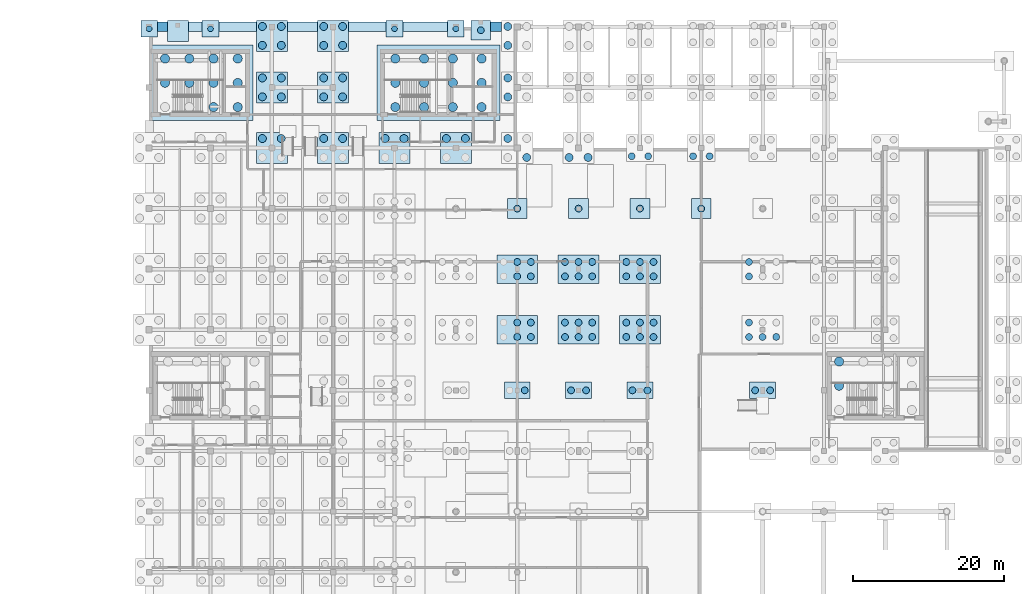
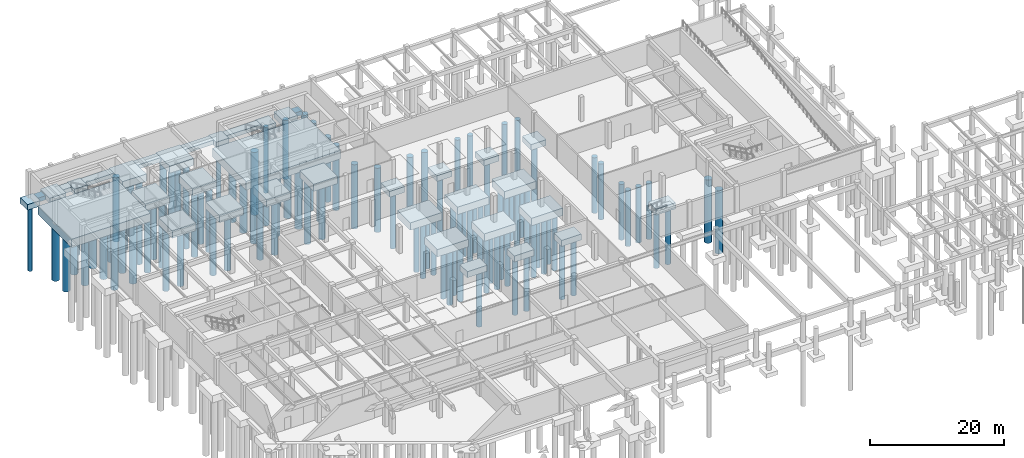
# One storey, part 4 of 25: 114 piles, 37 footings.
"""IFC4 building model written with IfcOpenShell, lengths in metres."""

from ifc_helpers import new_model, si_unit, direction, frame, origin, origin_2d, place, context, subcontext, project, spatial, polyline, rectangle, circle, outline, extrude, material, material_profile, profile_set, type_object, element, save


model = new_model("IFC4")

# Units and contexts
model_context = context("Model", 3, precision=1e-05, world=origin(), true_north=direction((0.0, 1.0)))
body_context = subcontext(model_context, "Body", "Model", "MODEL_VIEW")
ifc_project = project(units=[si_unit("LENGTHUNIT", "METRE"), si_unit("AREAUNIT", "SQUARE_METRE"), si_unit("VOLUMEUNIT", "CUBIC_METRE"), si_unit("PLANEANGLEUNIT", "RADIAN"), si_unit("MASSUNIT", "GRAM", prefix="KILO")], contexts=[model_context])

# Site, building, storey
site_placement = place(None, origin())
site = spatial("IfcSite", under=ifc_project, at=site_placement, CompositionType="ELEMENT")
building_placement = place(site_placement, origin())
building = spatial("IfcBuilding", under=site, at=building_placement, Name="Tarnveldt Square Police Headquarters", CompositionType="ELEMENT")
storey_placement = place(building_placement, frame((0.0, 0.0, -4.800048828125)))
storey = spatial("IfcBuildingStorey", under=building, at=storey_placement, Name="B1", CompositionType="ELEMENT", Elevation=-4.800048828125)

# Footings
ifc_material_1 = material(Name="Concrete 45 MPa", Category="concrete")
footing_type_1 = type_object("IfcFootingType", Name="CAP-PC1", PredefinedType="PILE_CAP", material=ifc_material_1)
for number, where, z_axis, x_axis, name in (
    (1, (16.199951171875, 111.75, -1.320068359375), (0.0, 0.0, 1.0), (1.0, 0.0, 0.0), "Caisson Pile Cap 17"),
    (2, (24.300048828125, 111.75, -1.320068359375), (0.0, 0.0, 1.0), (1.0, 0.0, 0.0), "Caisson Pile Cap 25"),
    (3, (48.60009765625, 111.75, -1.320068359375), (0.0, 0.0, 1.0), (1.0, 0.0, 0.0), "Caisson Pile Cap 58"),
    (4, (56.699951171875, 111.75, -1.320068359375), (0.0, 0.0, 1.0), (1.0, 0.0, 0.0), "Caisson Pile Cap 70"),
):
    element("IfcFooting", number, at=place(storey_placement, frame(where, z_axis=z_axis, x_axis=x_axis)), inside=storey, type_object=footing_type_1, Name=name, PredefinedType="PILE_CAP", context=body_context, shape_type="SweptSolid", body=[
        extrude(rectangle(XDim=2.199951171875, YDim=2.199951171875, at=origin_2d()), origin(), (0.0, 0.0, 1.0), 1.0),
    ])
footing_type_2 = type_object("IfcFootingType", Name="CAP-PC11", PredefinedType="PILE_CAP", material=ifc_material_1)
footing_1_placement = place(storey_placement, frame((54.39990234375, 104.60009765625, -1.8701171875), z_axis=(0.0, 0.0, 1.0), x_axis=(1.0, 0.0, 0.0)))
element("IfcFooting", 5, at=footing_1_placement, inside=storey, type_object=footing_type_2, Name="Core K3 North-Central Forensic and Firefighting Core Mat Pile Cap", PredefinedType="PILE_CAP", context=body_context, shape_type="SweptSolid", body=[
    extrude(rectangle(XDim=16.199951171875, YDim=10.0, at=origin_2d()), origin(), (0.0, 0.0, 1.0), 1.550048828125),
])
footing_type_3 = type_object("IfcFootingType", Name="CAP-PC2", PredefinedType="PILE_CAP", material=ifc_material_1)
for number, where, z_axis, x_axis, name in (
    (6, (64.800048828125, 64.0, -1.419921875), (0.0, 0.0, 1.0), (1.0, 0.0, 0.0), "Caisson Pile Cap 75"),
    (7, (72.89990234375, 64.0, -1.419921875), (0.0, 0.0, 1.0), (1.0, 0.0, 0.0), "Caisson Pile Cap 85"),
    (8, (81.0, 64.0, -1.419921875), (0.0, 0.0, 1.0), (1.0, 0.0, 0.0), "Caisson Pile Cap 95"),
    (9, (97.199951171875, 64.0, -1.419921875), (0.0, 0.0, 1.0), (1.0, 0.0, 0.0), "Caisson Pile Cap 109"),
):
    element("IfcFooting", number, at=place(storey_placement, frame(where, z_axis=z_axis, x_axis=x_axis)), inside=storey, type_object=footing_type_3, Name=name, PredefinedType="PILE_CAP", context=body_context, shape_type="SweptSolid", body=[
        extrude(rectangle(XDim=3.39990234375, YDim=2.199951171875, at=origin_2d()), origin(), (0.0, 0.0, 1.0), 1.10009765625),
    ])
footing_type_4 = type_object("IfcFootingType", Name="CAP-PC4", PredefinedType="PILE_CAP", material=ifc_material_1)
for number, where, z_axis, x_axis, name in (
    (10, (32.39990234375, 96.0, -1.6201171875), (0.0, 0.0, 1.0), (1.0, 0.0, 0.0), "Caisson Pile Cap 34"),
    (11, (32.39990234375, 104.0, -1.6201171875), (0.0, 0.0, 1.0), (1.0, 0.0, 0.0), "Caisson Pile Cap 35"),
    (12, (32.39990234375, 110.800048828125, -1.6201171875), (0.0, 0.0, 1.0), (1.0, 0.0, 0.0), "Caisson Pile Cap 36"),
    (13, (40.5, 96.0, -1.6201171875), (0.0, 0.0, 1.0), (1.0, 0.0, 0.0), "Caisson Pile Cap 47"),
    (14, (40.5, 104.0, -1.6201171875), (0.0, 0.0, 1.0), (1.0, 0.0, 0.0), "Caisson Pile Cap 48"),
    (15, (40.5, 110.800048828125, -1.6201171875), (0.0, 0.0, 1.0), (1.0, 0.0, 0.0), "Caisson Pile Cap 49"),
    (16, (48.60009765625, 96.0, -1.6201171875), (0.0, 0.0, 1.0), (1.0, 0.0, 0.0), "Caisson Pile Cap 57"),
    (17, (56.699951171875, 96.0, -1.6201171875), (0.0, 0.0, 1.0), (1.0, 0.0, 0.0), "Caisson Pile Cap 69"),
):
    element("IfcFooting", number, at=place(storey_placement, frame(where, z_axis=z_axis, x_axis=x_axis)), inside=storey, type_object=footing_type_4, Name=name, PredefinedType="PILE_CAP", context=body_context, shape_type="SweptSolid", body=[
        extrude(rectangle(XDim=4.10009765625, YDim=4.10009765625, at=origin_2d()), origin(), (0.0, 0.0, 1.0), 1.300048828125),
    ])
footing_type_5 = type_object("IfcFootingType", Name="CAP-PC6", PredefinedType="PILE_CAP", material=ifc_material_1)
for number, where, z_axis, x_axis, name in (
    (18, (64.800048828125, 72.0, -1.669921875), (0.0, 0.0, 1.0), (1.0, 0.0, 0.0), "Caisson Pile Cap 76"),
    (19, (64.800048828125, 80.0, -1.669921875), (0.0, 0.0, 1.0), (1.0, 0.0, 0.0), "Caisson Pile Cap 77"),
    (20, (72.89990234375, 72.0, -1.669921875), (0.0, 0.0, 1.0), (1.0, 0.0, 0.0), "Caisson Pile Cap 86"),
    (21, (72.89990234375, 80.0, -1.669921875), (0.0, 0.0, 1.0), (1.0, 0.0, 0.0), "Caisson Pile Cap 87"),
    (22, (81.0, 72.0, -1.669921875), (0.0, 0.0, 1.0), (1.0, 0.0, 0.0), "Caisson Pile Cap 96"),
    (23, (81.0, 80.0, -1.669921875), (0.0, 0.0, 1.0), (1.0, 0.0, 0.0), "Caisson Pile Cap 97"),
):
    element("IfcFooting", number, at=place(storey_placement, frame(where, z_axis=z_axis, x_axis=x_axis)), inside=storey, type_object=footing_type_5, Name=name, PredefinedType="PILE_CAP", context=body_context, shape_type="SweptSolid", body=[
        extrude(rectangle(XDim=5.39990234375, YDim=3.800048828125, at=origin_2d()), origin(), (0.0, 0.0, 1.0), 1.35009765625),
    ])
footing_type_6 = type_object("IfcFootingType", Name="CAP-PC8", PredefinedType="PILE_CAP", material=ifc_material_1)
footing_2_placement = place(storey_placement, frame((23.10009765625, 104.60009765625, -1.820068359375), z_axis=(0.0, 0.0, 1.0), x_axis=(1.0, 0.0, 0.0)))
element("IfcFooting", 24, at=footing_2_placement, inside=storey, type_object=footing_type_6, Name="Core K2 North-West Operations Core Mat Pile Cap", PredefinedType="PILE_CAP", context=body_context, shape_type="SweptSolid", body=[
    extrude(rectangle(XDim=13.60009765625, YDim=10.0, at=origin_2d()), origin(), (0.0, 0.0, 1.0), 1.5),
])
footing_type_7 = type_object("IfcFootingType", Name="CAP-PC9", PredefinedType="PILE_CAP", material=ifc_material_1)
for number, where, z_axis, x_axis, name in (
    (25, (60.0, 111.550048828125, -1.0498046875), (0.0, 0.0, 1.0), (1.0, 0.0, 0.0), "Caisson Pile Cap 71"),
    (26, (64.800048828125, 88.0, -1.3701171875), (0.0, 0.0, 1.0), (1.0, 0.0, 0.0), "Caisson Pile Cap 78"),
    (27, (72.89990234375, 88.0, -1.3701171875), (0.0, 0.0, 1.0), (1.0, 0.0, 0.0), "Caisson Pile Cap 88"),
    (28, (81.0, 88.0, -1.3701171875), (0.0, 0.0, 1.0), (1.0, 0.0, 0.0), "Caisson Pile Cap 98"),
    (29, (89.10009765625, 88.0, -1.3701171875), (0.0, 0.0, 1.0), (1.0, 0.0, 0.0), "Caisson Pile Cap 102"),
):
    element("IfcFooting", number, at=place(storey_placement, frame(where, z_axis=z_axis, x_axis=x_axis)), inside=storey, type_object=footing_type_7, Name=name, PredefinedType="PILE_CAP", context=body_context, shape_type="SweptSolid", body=[
        extrude(rectangle(XDim=2.60009765625, YDim=2.60009765625, at=origin_2d()), origin(), (0.0, 0.0, 1.0), 1.050048828125),
    ])
ifc_material_2 = material(Name="Concrete 40 MPa", Category="concrete")
footing_type_8 = type_object("IfcFootingType", Name="PAD-PF2", PredefinedType="PAD_FOOTING", material=ifc_material_2)
footing_3_placement = place(storey_placement, frame((20.0, 111.449951171875, -0.94970703125), z_axis=(0.0, 0.0, 1.0), x_axis=(1.0, 0.0, 0.0)))
element("IfcFooting", 30, at=footing_3_placement, inside=storey, type_object=footing_type_8, Name="Spread Pad Footing 5", PredefinedType="PAD_FOOTING", context=body_context, shape_type="SweptSolid", body=[
    extrude(rectangle(XDim=2.800048828125, YDim=2.800048828125, at=origin_2d()), origin(), (0.0, 0.0, 1.0), 0.949951171875),
])

# Piles
ifc_material_profile_1 = material_profile(ifc_material_1, circle(Radius=0.375, at=origin_2d()), Name="CAISSON-D750")
ifc_profile_set_1 = profile_set([ifc_material_profile_1], Name="Concrete 45 MPa")
pile_type_1 = type_object("IfcPileType", Name="PILE-CA1", PredefinedType="BORED", material=ifc_profile_set_1)
for number, where, z_axis, x_axis, name in (
    (31, (16.199951171875, 111.75, -1.219970703125), (0.0, 0.0, -1.0), (1.0, 0.0, 0.0), "Bored Caisson C17.1"),
    (32, (24.300048828125, 111.75, -1.219970703125), (0.0, 0.0, -1.0), (1.0, 0.0, 0.0), "Bored Caisson C25.1"),
    (33, (48.60009765625, 111.75, -1.219970703125), (0.0, 0.0, -1.0), (1.0, 0.0, 0.0), "Bored Caisson C58.1"),
    (34, (56.699951171875, 111.75, -1.219970703125), (0.0, 0.0, -1.0), (1.0, 0.0, 0.0), "Bored Caisson C70.1"),
):
    element("IfcPile", number, at=place(storey_placement, frame(where, z_axis=z_axis, x_axis=x_axis)), inside=storey, type_object=pile_type_1, Name=name, PredefinedType="BORED", context=body_context, shape_type="SweptSolid", body=[
        extrude(circle(Radius=0.375, at=origin_2d()), origin(), (0.0, 0.0, 1.0), 11.97998046875),
    ])
ifc_material_profile_2 = material_profile(ifc_material_1, circle(Radius=0.449951171875, at=origin_2d()), Name="CAISSON-D900")
ifc_profile_set_2 = profile_set([ifc_material_profile_2], Name="Concrete 45 MPa")
pile_type_2 = type_object("IfcPileType", Name="PILE-CA2", PredefinedType="BORED", material=ifc_profile_set_2)
pile_1_placement = place(storey_placement, frame((60.0, 111.550048828125, -0.949951171875), z_axis=(0.0, 0.0, -1.0), x_axis=(1.0, 0.0, 0.0)))
element("IfcPile", 35, at=pile_1_placement, inside=storey, type_object=pile_type_2, Name="Bored Caisson C71.1", PredefinedType="BORED", context=body_context, shape_type="SweptSolid", body=[
    extrude(circle(Radius=0.449951171875, at=origin_2d()), origin(), (0.0, 0.0, 1.0), 10.75),
])
pile_2_placement = place(storey_placement, frame((65.7900390625, 64.0, -1.320068359375), z_axis=(0.0, 0.0, -1.0), x_axis=(1.0, 0.0, 0.0)))
element("IfcPile", 36, at=pile_2_placement, inside=storey, type_object=pile_type_2, Name="Bored Caisson C75.2", PredefinedType="BORED", context=body_context, shape_type="SweptSolid", body=[
    extrude(circle(Radius=0.449951171875, at=origin_2d()), origin(), (0.0, 0.0, 1.0), 10.3798828125),
])
for number, where, z_axis, x_axis, name in (
    (37, (64.800048828125, 71.050048828125, -1.570068359375), (0.0, 0.0, -1.0), (1.0, 0.0, 0.0), "Bored Caisson C76.2"),
    (38, (66.60009765625, 71.050048828125, -1.570068359375), (0.0, 0.0, -1.0), (1.0, 0.0, 0.0), "Bored Caisson C76.3"),
    (39, (64.800048828125, 72.949951171875, -1.570068359375), (0.0, 0.0, -1.0), (1.0, 0.0, 0.0), "Bored Caisson C76.5"),
    (40, (66.60009765625, 72.949951171875, -1.570068359375), (0.0, 0.0, -1.0), (1.0, 0.0, 0.0), "Bored Caisson C76.6"),
    (41, (64.800048828125, 79.050048828125, -1.570068359375), (0.0, 0.0, -1.0), (1.0, 0.0, 0.0), "Bored Caisson C77.2"),
    (42, (66.60009765625, 79.050048828125, -1.570068359375), (0.0, 0.0, -1.0), (1.0, 0.0, 0.0), "Bored Caisson C77.3"),
    (43, (64.800048828125, 80.949951171875, -1.570068359375), (0.0, 0.0, -1.0), (1.0, 0.0, 0.0), "Bored Caisson C77.5"),
    (44, (66.60009765625, 80.949951171875, -1.570068359375), (0.0, 0.0, -1.0), (1.0, 0.0, 0.0), "Bored Caisson C77.6"),
):
    element("IfcPile", number, at=place(storey_placement, frame(where, z_axis=z_axis, x_axis=x_axis)), inside=storey, type_object=pile_type_2, Name=name, PredefinedType="BORED", context=body_context, shape_type="SweptSolid", body=[
        extrude(circle(Radius=0.449951171875, at=origin_2d()), origin(), (0.0, 0.0, 1.0), 10.1298828125),
    ])
pile_3_placement = place(storey_placement, frame((64.800048828125, 88.0, -1.27001953125), z_axis=(0.0, 0.0, -1.0), x_axis=(1.0, 0.0, 0.0)))
element("IfcPile", 45, at=pile_3_placement, inside=storey, type_object=pile_type_2, Name="Bored Caisson C78.1", PredefinedType="BORED", context=body_context, shape_type="SweptSolid", body=[
    extrude(circle(Radius=0.449951171875, at=origin_2d()), origin(), (0.0, 0.0, 1.0), 10.429931640625),
])
for number, where, z_axis, x_axis, name in (
    (46, (71.909912109375, 64.0, -1.320068359375), (0.0, 0.0, -1.0), (1.0, 0.0, 0.0), "Bored Caisson C85.1"),
    (47, (73.889892578125, 64.0, -1.320068359375), (0.0, 0.0, -1.0), (1.0, 0.0, 0.0), "Bored Caisson C85.2"),
):
    element("IfcPile", number, at=place(storey_placement, frame(where, z_axis=z_axis, x_axis=x_axis)), inside=storey, type_object=pile_type_2, Name=name, PredefinedType="BORED", context=body_context, shape_type="SweptSolid", body=[
        extrude(circle(Radius=0.449951171875, at=origin_2d()), origin(), (0.0, 0.0, 1.0), 10.3798828125),
    ])
for number, where, z_axis, x_axis, name in (
    (48, (71.10009765625, 71.050048828125, -1.570068359375), (0.0, 0.0, -1.0), (1.0, 0.0, 0.0), "Bored Caisson C86.1"),
    (49, (72.89990234375, 71.050048828125, -1.570068359375), (0.0, 0.0, -1.0), (1.0, 0.0, 0.0), "Bored Caisson C86.2"),
    (50, (74.699951171875, 71.050048828125, -1.570068359375), (0.0, 0.0, -1.0), (1.0, 0.0, 0.0), "Bored Caisson C86.3"),
    (51, (71.10009765625, 72.949951171875, -1.570068359375), (0.0, 0.0, -1.0), (1.0, 0.0, 0.0), "Bored Caisson C86.4"),
    (52, (72.89990234375, 72.949951171875, -1.570068359375), (0.0, 0.0, -1.0), (1.0, 0.0, 0.0), "Bored Caisson C86.5"),
    (53, (74.699951171875, 72.949951171875, -1.570068359375), (0.0, 0.0, -1.0), (1.0, 0.0, 0.0), "Bored Caisson C86.6"),
    (54, (71.10009765625, 79.050048828125, -1.570068359375), (0.0, 0.0, -1.0), (1.0, 0.0, 0.0), "Bored Caisson C87.1"),
    (55, (72.89990234375, 79.050048828125, -1.570068359375), (0.0, 0.0, -1.0), (1.0, 0.0, 0.0), "Bored Caisson C87.2"),
    (56, (74.699951171875, 79.050048828125, -1.570068359375), (0.0, 0.0, -1.0), (1.0, 0.0, 0.0), "Bored Caisson C87.3"),
    (57, (71.10009765625, 80.949951171875, -1.570068359375), (0.0, 0.0, -1.0), (1.0, 0.0, 0.0), "Bored Caisson C87.4"),
    (58, (72.89990234375, 80.949951171875, -1.570068359375), (0.0, 0.0, -1.0), (1.0, 0.0, 0.0), "Bored Caisson C87.5"),
    (59, (74.699951171875, 80.949951171875, -1.570068359375), (0.0, 0.0, -1.0), (1.0, 0.0, 0.0), "Bored Caisson C87.6"),
):
    element("IfcPile", number, at=place(storey_placement, frame(where, z_axis=z_axis, x_axis=x_axis)), inside=storey, type_object=pile_type_2, Name=name, PredefinedType="BORED", context=body_context, shape_type="SweptSolid", body=[
        extrude(circle(Radius=0.449951171875, at=origin_2d()), origin(), (0.0, 0.0, 1.0), 10.1298828125),
    ])
pile_4_placement = place(storey_placement, frame((72.89990234375, 88.0, -1.27001953125), z_axis=(0.0, 0.0, -1.0), x_axis=(1.0, 0.0, 0.0)))
element("IfcPile", 60, at=pile_4_placement, inside=storey, type_object=pile_type_2, Name="Bored Caisson C88.1", PredefinedType="BORED", context=body_context, shape_type="SweptSolid", body=[
    extrude(circle(Radius=0.449951171875, at=origin_2d()), origin(), (0.0, 0.0, 1.0), 10.429931640625),
])
for number, where, z_axis, x_axis, name in (
    (61, (80.010009765625, 64.0, -1.320068359375), (0.0, 0.0, -1.0), (1.0, 0.0, 0.0), "Bored Caisson C95.1"),
    (62, (81.989990234375, 64.0, -1.320068359375), (0.0, 0.0, -1.0), (1.0, 0.0, 0.0), "Bored Caisson C95.2"),
):
    element("IfcPile", number, at=place(storey_placement, frame(where, z_axis=z_axis, x_axis=x_axis)), inside=storey, type_object=pile_type_2, Name=name, PredefinedType="BORED", context=body_context, shape_type="SweptSolid", body=[
        extrude(circle(Radius=0.449951171875, at=origin_2d()), origin(), (0.0, 0.0, 1.0), 10.3798828125),
    ])
for number, where, z_axis, x_axis, name in (
    (63, (79.199951171875, 71.050048828125, -1.570068359375), (0.0, 0.0, -1.0), (1.0, 0.0, 0.0), "Bored Caisson C96.1"),
    (64, (81.0, 71.050048828125, -1.570068359375), (0.0, 0.0, -1.0), (1.0, 0.0, 0.0), "Bored Caisson C96.2"),
    (65, (82.800048828125, 71.050048828125, -1.570068359375), (0.0, 0.0, -1.0), (1.0, 0.0, 0.0), "Bored Caisson C96.3"),
    (66, (79.199951171875, 72.949951171875, -1.570068359375), (0.0, 0.0, -1.0), (1.0, 0.0, 0.0), "Bored Caisson C96.4"),
    (67, (81.0, 72.949951171875, -1.570068359375), (0.0, 0.0, -1.0), (1.0, 0.0, 0.0), "Bored Caisson C96.5"),
    (68, (82.800048828125, 72.949951171875, -1.570068359375), (0.0, 0.0, -1.0), (1.0, 0.0, 0.0), "Bored Caisson C96.6"),
    (69, (79.199951171875, 79.050048828125, -1.570068359375), (0.0, 0.0, -1.0), (1.0, 0.0, 0.0), "Bored Caisson C97.1"),
    (70, (81.0, 79.050048828125, -1.570068359375), (0.0, 0.0, -1.0), (1.0, 0.0, 0.0), "Bored Caisson C97.2"),
    (71, (82.800048828125, 79.050048828125, -1.570068359375), (0.0, 0.0, -1.0), (1.0, 0.0, 0.0), "Bored Caisson C97.3"),
    (72, (79.199951171875, 80.949951171875, -1.570068359375), (0.0, 0.0, -1.0), (1.0, 0.0, 0.0), "Bored Caisson C97.4"),
    (73, (81.0, 80.949951171875, -1.570068359375), (0.0, 0.0, -1.0), (1.0, 0.0, 0.0), "Bored Caisson C97.5"),
    (74, (82.800048828125, 80.949951171875, -1.570068359375), (0.0, 0.0, -1.0), (1.0, 0.0, 0.0), "Bored Caisson C97.6"),
):
    element("IfcPile", number, at=place(storey_placement, frame(where, z_axis=z_axis, x_axis=x_axis)), inside=storey, type_object=pile_type_2, Name=name, PredefinedType="BORED", context=body_context, shape_type="SweptSolid", body=[
        extrude(circle(Radius=0.449951171875, at=origin_2d()), origin(), (0.0, 0.0, 1.0), 10.1298828125),
    ])
pile_5_placement = place(storey_placement, frame((81.0, 88.0, -1.27001953125), z_axis=(0.0, 0.0, -1.0), x_axis=(1.0, 0.0, 0.0)))
element("IfcPile", 75, at=pile_5_placement, inside=storey, type_object=pile_type_2, Name="Bored Caisson C98.1", PredefinedType="BORED", context=body_context, shape_type="SweptSolid", body=[
    extrude(circle(Radius=0.449951171875, at=origin_2d()), origin(), (0.0, 0.0, 1.0), 10.429931640625),
])
for number, where, z_axis, x_axis, name in (
    (76, (79.909912109375, 94.909912109375, -1.419921875), (0.0, 0.0, -1.0), (1.0, 0.0, 0.0), "Bored Caisson C99.1"),
    (77, (82.090087890625, 94.909912109375, -1.419921875), (0.0, 0.0, -1.0), (1.0, 0.0, 0.0), "Bored Caisson C99.3"),
):
    element("IfcPile", number, at=place(storey_placement, frame(where, z_axis=z_axis, x_axis=x_axis)), inside=storey, type_object=pile_type_2, Name=name, PredefinedType="BORED", context=body_context, shape_type="SweptSolid", body=[
        extrude(circle(Radius=0.449951171875, at=origin_2d()), origin(), (0.0, 0.0, 1.0), 11.780029296875),
    ])
pile_6_placement = place(storey_placement, frame((89.10009765625, 88.0, -1.27001953125), z_axis=(0.0, 0.0, -1.0), x_axis=(1.0, 0.0, 0.0)))
element("IfcPile", 78, at=pile_6_placement, inside=storey, type_object=pile_type_2, Name="Bored Caisson C102.1", PredefinedType="BORED", context=body_context, shape_type="SweptSolid", body=[
    extrude(circle(Radius=0.449951171875, at=origin_2d()), origin(), (0.0, 0.0, 1.0), 10.429931640625),
])
for number, where, z_axis, x_axis, name in (
    (79, (88.010009765625, 94.909912109375, -1.419921875), (0.0, 0.0, -1.0), (1.0, 0.0, 0.0), "Bored Caisson C103.1"),
    (80, (90.18994140625, 94.909912109375, -1.419921875), (0.0, 0.0, -1.0), (1.0, 0.0, 0.0), "Bored Caisson C103.3"),
):
    element("IfcPile", number, at=place(storey_placement, frame(where, z_axis=z_axis, x_axis=x_axis)), inside=storey, type_object=pile_type_2, Name=name, PredefinedType="BORED", context=body_context, shape_type="SweptSolid", body=[
        extrude(circle(Radius=0.449951171875, at=origin_2d()), origin(), (0.0, 0.0, 1.0), 11.780029296875),
    ])
for number, where, z_axis, x_axis, name in (
    (81, (96.2099609375, 64.0, -1.320068359375), (0.0, 0.0, -1.0), (1.0, 0.0, 0.0), "Bored Caisson C109.1"),
    (82, (98.18994140625, 64.0, -1.320068359375), (0.0, 0.0, -1.0), (1.0, 0.0, 0.0), "Bored Caisson C109.2"),
):
    element("IfcPile", number, at=place(storey_placement, frame(where, z_axis=z_axis, x_axis=x_axis)), inside=storey, type_object=pile_type_2, Name=name, PredefinedType="BORED", context=body_context, shape_type="SweptSolid", body=[
        extrude(circle(Radius=0.449951171875, at=origin_2d()), origin(), (0.0, 0.0, 1.0), 10.3798828125),
    ])
for number, where, z_axis, x_axis, name in (
    (83, (95.39990234375, 71.050048828125, -1.570068359375), (0.0, 0.0, -1.0), (1.0, 0.0, 0.0), "Bored Caisson C110.1"),
    (84, (97.199951171875, 71.050048828125, -1.570068359375), (0.0, 0.0, -1.0), (1.0, 0.0, 0.0), "Bored Caisson C110.2"),
    (85, (99.0, 71.050048828125, -1.570068359375), (0.0, 0.0, -1.0), (1.0, 0.0, 0.0), "Bored Caisson C110.3"),
    (86, (95.39990234375, 72.949951171875, -1.570068359375), (0.0, 0.0, -1.0), (1.0, 0.0, 0.0), "Bored Caisson C110.4"),
    (87, (95.39990234375, 79.050048828125, -1.570068359375), (0.0, 0.0, -1.0), (1.0, 0.0, 0.0), "Bored Caisson C111.1"),
    (88, (95.39990234375, 80.949951171875, -1.570068359375), (0.0, 0.0, -1.0), (1.0, 0.0, 0.0), "Bored Caisson C111.4"),
):
    element("IfcPile", number, at=place(storey_placement, frame(where, z_axis=z_axis, x_axis=x_axis)), inside=storey, type_object=pile_type_2, Name=name, PredefinedType="BORED", context=body_context, shape_type="SweptSolid", body=[
        extrude(circle(Radius=0.449951171875, at=origin_2d()), origin(), (0.0, 0.0, 1.0), 10.1298828125),
    ])
ifc_material_profile_3 = material_profile(ifc_material_1, circle(Radius=0.52490234375, at=origin_2d()), Name="CAISSON-D1050")
ifc_profile_set_3 = profile_set([ifc_material_profile_3], Name="Concrete 45 MPa")
pile_type_3 = type_object("IfcPileType", Name="PILE-CA3", PredefinedType="BORED", material=ifc_profile_set_3)
for number, where, z_axis, x_axis, name in (
    (89, (31.14990234375, 97.25, -1.52001953125), (0.0, 0.0, -1.0), (1.0, 0.0, 0.0), "Bored Caisson C34.2"),
    (90, (33.64990234375, 97.25, -1.52001953125), (0.0, 0.0, -1.0), (1.0, 0.0, 0.0), "Bored Caisson C34.4"),
    (91, (31.14990234375, 102.75, -1.52001953125), (0.0, 0.0, -1.0), (1.0, 0.0, 0.0), "Bored Caisson C35.1"),
    (92, (31.14990234375, 105.25, -1.52001953125), (0.0, 0.0, -1.0), (1.0, 0.0, 0.0), "Bored Caisson C35.2"),
    (93, (33.64990234375, 102.75, -1.52001953125), (0.0, 0.0, -1.0), (1.0, 0.0, 0.0), "Bored Caisson C35.3"),
    (94, (33.64990234375, 105.25, -1.52001953125), (0.0, 0.0, -1.0), (1.0, 0.0, 0.0), "Bored Caisson C35.4"),
    (95, (31.14990234375, 109.550048828125, -1.52001953125), (0.0, 0.0, -1.0), (1.0, 0.0, 0.0), "Bored Caisson C36.1"),
    (96, (31.14990234375, 112.050048828125, -1.52001953125), (0.0, 0.0, -1.0), (1.0, 0.0, 0.0), "Bored Caisson C36.2"),
    (97, (33.64990234375, 109.550048828125, -1.52001953125), (0.0, 0.0, -1.0), (1.0, 0.0, 0.0), "Bored Caisson C36.3"),
    (98, (33.64990234375, 112.050048828125, -1.52001953125), (0.0, 0.0, -1.0), (1.0, 0.0, 0.0), "Bored Caisson C36.4"),
    (99, (39.25, 97.25, -1.52001953125), (0.0, 0.0, -1.0), (1.0, 0.0, 0.0), "Bored Caisson C47.2"),
    (100, (41.75, 97.25, -1.52001953125), (0.0, 0.0, -1.0), (1.0, 0.0, 0.0), "Bored Caisson C47.4"),
    (101, (39.25, 102.75, -1.52001953125), (0.0, 0.0, -1.0), (1.0, 0.0, 0.0), "Bored Caisson C48.1"),
    (102, (39.25, 105.25, -1.52001953125), (0.0, 0.0, -1.0), (1.0, 0.0, 0.0), "Bored Caisson C48.2"),
    (103, (41.75, 102.75, -1.52001953125), (0.0, 0.0, -1.0), (1.0, 0.0, 0.0), "Bored Caisson C48.3"),
    (104, (41.75, 105.25, -1.52001953125), (0.0, 0.0, -1.0), (1.0, 0.0, 0.0), "Bored Caisson C48.4"),
    (105, (39.25, 109.550048828125, -1.52001953125), (0.0, 0.0, -1.0), (1.0, 0.0, 0.0), "Bored Caisson C49.1"),
    (106, (39.25, 112.050048828125, -1.52001953125), (0.0, 0.0, -1.0), (1.0, 0.0, 0.0), "Bored Caisson C49.2"),
    (107, (41.75, 109.550048828125, -1.52001953125), (0.0, 0.0, -1.0), (1.0, 0.0, 0.0), "Bored Caisson C49.3"),
    (108, (41.75, 112.050048828125, -1.52001953125), (0.0, 0.0, -1.0), (1.0, 0.0, 0.0), "Bored Caisson C49.4"),
    (109, (47.35009765625, 97.25, -1.52001953125), (0.0, 0.0, -1.0), (1.0, 0.0, 0.0), "Bored Caisson C57.2"),
    (110, (49.85009765625, 97.25, -1.52001953125), (0.0, 0.0, -1.0), (1.0, 0.0, 0.0), "Bored Caisson C57.4"),
    (111, (55.449951171875, 97.25, -1.52001953125), (0.0, 0.0, -1.0), (1.0, 0.0, 0.0), "Bored Caisson C69.2"),
    (112, (57.949951171875, 97.25, -1.52001953125), (0.0, 0.0, -1.0), (1.0, 0.0, 0.0), "Bored Caisson C69.4"),
    (113, (63.550048828125, 97.25, -1.52001953125), (0.0, 0.0, -1.0), (1.0, 0.0, 0.0), "Bored Caisson C79.2"),
    (114, (66.050048828125, 94.75, -1.52001953125), (0.0, 0.0, -1.0), (1.0, 0.0, 0.0), "Bored Caisson C79.3"),
    (115, (63.550048828125, 102.75, -1.52001953125), (0.0, 0.0, -1.0), (1.0, 0.0, 0.0), "Bored Caisson C80.1"),
    (116, (63.550048828125, 105.25, -1.52001953125), (0.0, 0.0, -1.0), (1.0, 0.0, 0.0), "Bored Caisson C80.2"),
    (117, (63.550048828125, 109.550048828125, -1.52001953125), (0.0, 0.0, -1.0), (1.0, 0.0, 0.0), "Bored Caisson C81.1"),
    (118, (63.550048828125, 112.050048828125, -1.52001953125), (0.0, 0.0, -1.0), (1.0, 0.0, 0.0), "Bored Caisson C81.2"),
    (119, (71.64990234375, 94.75, -1.52001953125), (0.0, 0.0, -1.0), (1.0, 0.0, 0.0), "Bored Caisson C89.1"),
    (120, (74.14990234375, 94.75, -1.52001953125), (0.0, 0.0, -1.0), (1.0, 0.0, 0.0), "Bored Caisson C89.3"),
):
    element("IfcPile", number, at=place(storey_placement, frame(where, z_axis=z_axis, x_axis=x_axis)), inside=storey, type_object=pile_type_3, Name=name, PredefinedType="BORED", context=body_context, shape_type="SweptSolid", body=[
        extrude(circle(Radius=0.52490234375, at=origin_2d()), origin(), (0.0, 0.0, 1.0), 11.679931640625),
    ])
ifc_material_profile_4 = material_profile(ifc_material_1, circle(Radius=0.60009765625, at=origin_2d()), Name="CAISSON-D1200")
ifc_profile_set_4 = profile_set([ifc_material_profile_4], Name="Concrete 45 MPa")
pile_type_4 = type_object("IfcPileType", Name="PILE-CA4", PredefinedType="BORED", material=ifc_profile_set_4)
for number, where, z_axis, x_axis, name in (
    (121, (18.300048828125, 104.60009765625, -1.719970703125), (0.0, 0.0, -1.0), (1.0, 0.0, 0.0), "K2 Rock-Socketed Caisson 2"),
    (122, (18.300048828125, 107.800048828125, -1.719970703125), (0.0, 0.0, -1.0), (1.0, 0.0, 0.0), "K2 Rock-Socketed Caisson 3"),
    (123, (21.5, 104.60009765625, -1.719970703125), (0.0, 0.0, -1.0), (1.0, 0.0, 0.0), "K2 Rock-Socketed Caisson 5"),
    (124, (21.5, 107.800048828125, -1.719970703125), (0.0, 0.0, -1.0), (1.0, 0.0, 0.0), "K2 Rock-Socketed Caisson 6"),
    (125, (24.699951171875, 101.39990234375, -1.719970703125), (0.0, 0.0, -1.0), (1.0, 0.0, 0.0), "K2 Rock-Socketed Caisson 7"),
    (126, (24.699951171875, 104.60009765625, -1.719970703125), (0.0, 0.0, -1.0), (1.0, 0.0, 0.0), "K2 Rock-Socketed Caisson 8"),
    (127, (24.699951171875, 107.800048828125, -1.719970703125), (0.0, 0.0, -1.0), (1.0, 0.0, 0.0), "K2 Rock-Socketed Caisson 9"),
    (128, (27.89990234375, 101.39990234375, -1.719970703125), (0.0, 0.0, -1.0), (1.0, 0.0, 0.0), "K2 Rock-Socketed Caisson 10"),
    (129, (27.89990234375, 104.60009765625, -1.719970703125), (0.0, 0.0, -1.0), (1.0, 0.0, 0.0), "K2 Rock-Socketed Caisson 11"),
    (130, (27.89990234375, 107.800048828125, -1.719970703125), (0.0, 0.0, -1.0), (1.0, 0.0, 0.0), "K2 Rock-Socketed Caisson 12"),
):
    element("IfcPile", number, at=place(storey_placement, frame(where, z_axis=z_axis, x_axis=x_axis)), inside=storey, type_object=pile_type_4, Name=name, PredefinedType="BORED", context=body_context, shape_type="SweptSolid", body=[
        extrude(circle(Radius=0.60009765625, at=origin_2d()), origin(), (0.0, 0.0, 1.0), 11.47998046875),
    ])
for number, where, z_axis, x_axis, name in (
    (131, (48.699951171875, 101.39990234375, -1.77001953125), (0.0, 0.0, -1.0), (1.0, 0.0, 0.0), "K3 Rock-Socketed Caisson 1"),
    (132, (48.699951171875, 104.60009765625, -1.77001953125), (0.0, 0.0, -1.0), (1.0, 0.0, 0.0), "K3 Rock-Socketed Caisson 2"),
    (133, (48.699951171875, 107.800048828125, -1.77001953125), (0.0, 0.0, -1.0), (1.0, 0.0, 0.0), "K3 Rock-Socketed Caisson 3"),
    (134, (52.5, 101.39990234375, -1.77001953125), (0.0, 0.0, -1.0), (1.0, 0.0, 0.0), "K3 Rock-Socketed Caisson 4"),
    (135, (52.5, 104.60009765625, -1.77001953125), (0.0, 0.0, -1.0), (1.0, 0.0, 0.0), "K3 Rock-Socketed Caisson 5"),
    (136, (52.5, 107.800048828125, -1.77001953125), (0.0, 0.0, -1.0), (1.0, 0.0, 0.0), "K3 Rock-Socketed Caisson 6"),
    (137, (56.300048828125, 101.39990234375, -1.77001953125), (0.0, 0.0, -1.0), (1.0, 0.0, 0.0), "K3 Rock-Socketed Caisson 7"),
    (138, (56.300048828125, 104.60009765625, -1.77001953125), (0.0, 0.0, -1.0), (1.0, 0.0, 0.0), "K3 Rock-Socketed Caisson 8"),
    (139, (56.300048828125, 107.800048828125, -1.77001953125), (0.0, 0.0, -1.0), (1.0, 0.0, 0.0), "K3 Rock-Socketed Caisson 9"),
    (140, (60.10009765625, 101.39990234375, -1.77001953125), (0.0, 0.0, -1.0), (1.0, 0.0, 0.0), "K3 Rock-Socketed Caisson 10"),
    (141, (60.10009765625, 104.60009765625, -1.77001953125), (0.0, 0.0, -1.0), (1.0, 0.0, 0.0), "K3 Rock-Socketed Caisson 11"),
    (142, (60.10009765625, 107.800048828125, -1.77001953125), (0.0, 0.0, -1.0), (1.0, 0.0, 0.0), "K3 Rock-Socketed Caisson 12"),
):
    element("IfcPile", number, at=place(storey_placement, frame(where, z_axis=z_axis, x_axis=x_axis)), inside=storey, type_object=pile_type_4, Name=name, PredefinedType="BORED", context=body_context, shape_type="SweptSolid", body=[
        extrude(circle(Radius=0.60009765625, at=origin_2d()), origin(), (0.0, 0.0, 1.0), 11.429931640625),
    ])
for number, where, z_axis, x_axis, name in (
    (143, (107.300048828125, 64.60009765625, -1.719970703125), (0.0, 0.0, -1.0), (1.0, 0.0, 0.0), "K4 Rock-Socketed Caisson 2"),
    (144, (107.300048828125, 67.800048828125, -1.719970703125), (0.0, 0.0, -1.0), (1.0, 0.0, 0.0), "K4 Rock-Socketed Caisson 3"),
):
    element("IfcPile", number, at=place(storey_placement, frame(where, z_axis=z_axis, x_axis=x_axis)), inside=storey, type_object=pile_type_4, Name=name, PredefinedType="BORED", context=body_context, shape_type="SweptSolid", body=[
        extrude(circle(Radius=0.60009765625, at=origin_2d()), origin(), (0.0, 0.0, 1.0), 11.47998046875),
    ])

# Footings
footing_type_9 = type_object("IfcFootingType", Name="SF-2", PredefinedType="STRIP_FOOTING", material=ifc_material_2)
footing_4_placement = place(storey_placement, frame((0.0, 0.0, -1.070068359375)))
element("IfcFooting", 145, at=footing_4_placement, inside=storey, type_object=footing_type_9, Name="FTG-SF-N Segment 1", PredefinedType="STRIP_FOOTING", context=body_context, shape_type="SweptSolid", body=[
    extrude(outline(polyline([(17.300048828125, 111.35009765625), (18.60009765625, 111.35009765625), (18.60009765625, 112.64990234375), (17.300048828125, 112.64990234375), (17.300048828125, 111.35009765625)])), origin(), (0.0, 0.0, 1.0), 0.75),
])
footing_5_placement = place(storey_placement, frame((0.0, 0.0, -1.070068359375)))
element("IfcFooting", 146, at=footing_5_placement, inside=storey, type_object=footing_type_9, Name="FTG-SF-N Segment 2", PredefinedType="STRIP_FOOTING", context=body_context, shape_type="SweptSolid", body=[
    extrude(outline(polyline([(21.39990234375, 111.35009765625), (23.199951171875, 111.35009765625), (23.199951171875, 112.64990234375), (21.39990234375, 112.64990234375), (21.39990234375, 111.35009765625)])), origin(), (0.0, 0.0, 1.0), 0.75),
])
footing_6_placement = place(storey_placement, frame((0.0, 0.0, -1.070068359375)))
element("IfcFooting", 147, at=footing_6_placement, inside=storey, type_object=footing_type_9, Name="FTG-SF-N Segment 3", PredefinedType="STRIP_FOOTING", context=body_context, shape_type="SweptSolid", body=[
    extrude(outline(polyline([(25.39990234375, 111.35009765625), (30.35009765625, 111.35009765625), (30.35009765625, 112.64990234375), (25.39990234375, 112.64990234375), (25.39990234375, 111.35009765625)])), origin(), (0.0, 0.0, 1.0), 0.75),
])
footing_7_placement = place(storey_placement, frame((0.0, 0.0, -1.070068359375)))
element("IfcFooting", 148, at=footing_7_placement, inside=storey, type_object=footing_type_9, Name="FTG-SF-N Segment 4", PredefinedType="STRIP_FOOTING", context=body_context, shape_type="SweptSolid", body=[
    extrude(outline(polyline([(34.449951171875, 111.35009765625), (38.449951171875, 111.35009765625), (38.449951171875, 112.64990234375), (34.449951171875, 112.64990234375), (34.449951171875, 111.35009765625)])), origin(), (0.0, 0.0, 1.0), 0.75),
])
footing_8_placement = place(storey_placement, frame((0.0, 0.0, -1.070068359375)))
element("IfcFooting", 149, at=footing_8_placement, inside=storey, type_object=footing_type_9, Name="FTG-SF-N Segment 5", PredefinedType="STRIP_FOOTING", context=body_context, shape_type="SweptSolid", body=[
    extrude(outline(polyline([(42.550048828125, 111.35009765625), (47.5, 111.35009765625), (47.5, 112.64990234375), (42.550048828125, 112.64990234375), (42.550048828125, 111.35009765625)])), origin(), (0.0, 0.0, 1.0), 0.75),
])
footing_9_placement = place(storey_placement, frame((0.0, 0.0, -1.070068359375)))
element("IfcFooting", 150, at=footing_9_placement, inside=storey, type_object=footing_type_9, Name="FTG-SF-N Segment 6", PredefinedType="STRIP_FOOTING", context=body_context, shape_type="SweptSolid", body=[
    extrude(outline(polyline([(49.699951171875, 111.35009765625), (55.60009765625, 111.35009765625), (55.60009765625, 112.64990234375), (49.699951171875, 112.64990234375), (49.699951171875, 111.35009765625)])), origin(), (0.0, 0.0, 1.0), 0.75),
])
footing_10_placement = place(storey_placement, frame((0.0, 0.0, -1.070068359375)))
element("IfcFooting", 151, at=footing_10_placement, inside=storey, type_object=footing_type_9, Name="FTG-SF-N Segment 8", PredefinedType="STRIP_FOOTING", context=body_context, shape_type="SweptSolid", body=[
    extrude(outline(polyline([(61.300048828125, 111.35009765625), (62.75, 111.35009765625), (62.75, 112.64990234375), (61.300048828125, 112.64990234375), (61.300048828125, 111.35009765625)])), origin(), (0.0, 0.0, 1.0), 0.75),
])

save(model, "model.ifc")
